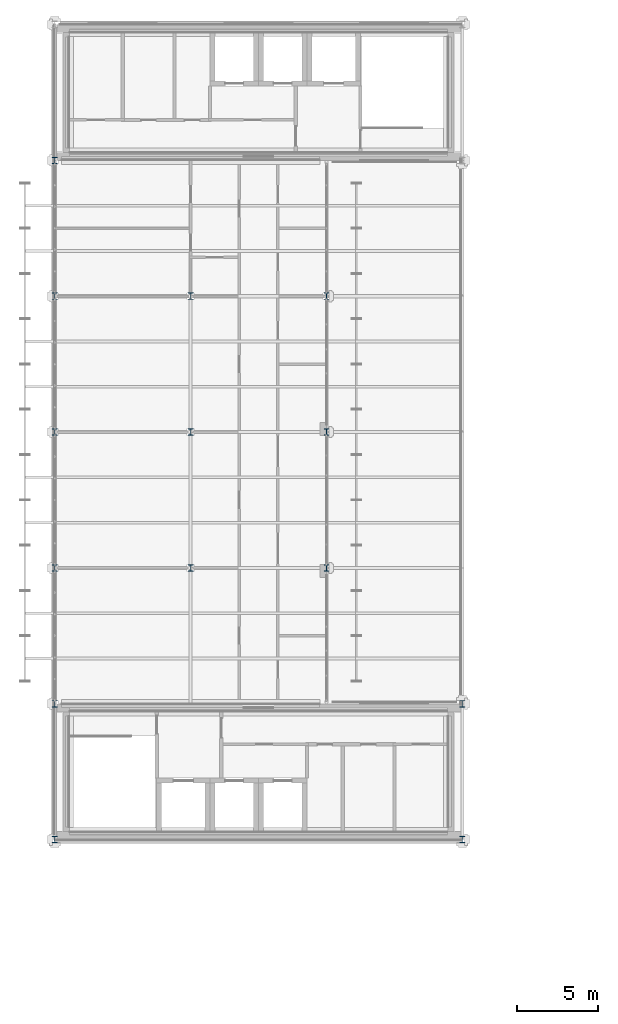
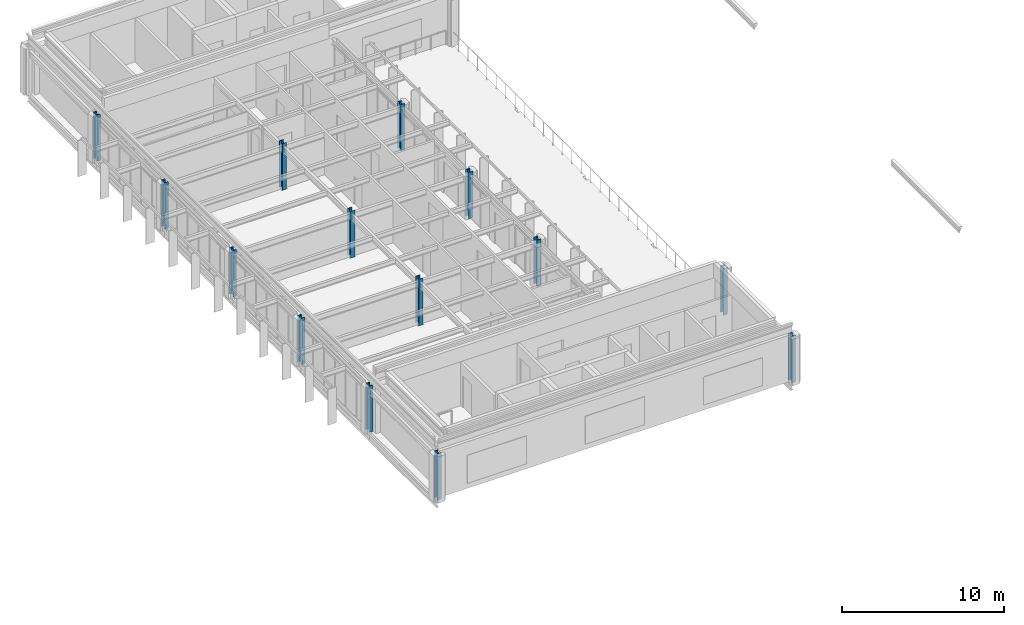
# One storey, part 1 of 31: 14 columns.
"""IFC4 building model written with IfcOpenShell, lengths in metres."""

import ifcopenshell
import ifcopenshell.guid

model = None  # the IFC model being written
_history = None  # IfcOwnerHistory: only IFC2X3 demands one
_inside = {}  # id of a spatial element -> (the spatial element, [elements in it])
_under = {}  # id of a project, library or spatial element -> (it, [spatial elements below it])
_declared = {}  # id of a project -> (the project, [libraries it declares])
_typed = {}  # id of a type object -> (the type object, [elements of that type])
_made_of = {}  # id of a material, layer set ... -> (it, [elements and type objects made of it])


def new_model(schema):
    """Start an empty IFC model of exactly this schema.

    Asked for "IFC4X3", IfcOpenShell would pick the latest addendum, in which some entities
    have other attributes; the version numbers below select the first issue.
    IFC2X3 requires an IfcOwnerHistory on every rooted entity: one is made here for all.
    """
    global model, _history
    if schema == "IFC4X3":
        model = ifcopenshell.file(schema_version=(4, 3, 0, 0))
    else:
        model = ifcopenshell.file(schema=schema)
    _inside.clear()
    _under.clear()
    _declared.clear()
    _typed.clear()
    _made_of.clear()
    _history = None
    if model.schema == "IFC2X3":
        org = make("IfcOrganization", Name="unknown")
        user = make(
            "IfcPersonAndOrganization",
            ThePerson=make("IfcPerson", FamilyName="unknown"),
            TheOrganization=org,
        )
        app = make(
            "IfcApplication",
            ApplicationDeveloper=org,
            Version="unknown",
            ApplicationFullName="unknown",
            ApplicationIdentifier="unknown",
        )
        _history = make(
            "IfcOwnerHistory",
            OwningUser=user,
            OwningApplication=app,
            ChangeAction="ADDED",
            CreationDate=0,
        )
    return model


def make(cls, **values):
    """One entity of the class cls with the attributes given. An attribute that is None is left unset."""
    return model.create_entity(
        cls, **{name: value for name, value in values.items() if value is not None}
    )


def rooted(cls, **values):
    """An entity with a GlobalId (a new one), such as an element, a storey or a relation."""
    return make(cls, GlobalId=ifcopenshell.guid.new(), OwnerHistory=_history, **values)


def si_unit(unit_type, name, prefix=None):
    """IfcSIUnit, for example si_unit("LENGTHUNIT", "METRE", prefix="MILLI")."""
    return make("IfcSIUnit", UnitType=unit_type, Prefix=prefix, Name=name)


def assignment(units):
    """IfcUnitAssignment: the units of a project."""
    return None if units is None else make("IfcUnitAssignment", Units=units)


def point(xyz):
    """IfcCartesianPoint."""
    return None if xyz is None else make("IfcCartesianPoint", Coordinates=xyz)


def direction(xyz):
    """IfcDirection."""
    return None if xyz is None else make("IfcDirection", DirectionRatios=xyz)


def frame(location, z_axis=None, x_axis=None):
    """IfcAxis2Placement3D, a coordinate frame: its origin and axes. An axis left out is left unset."""
    return make(
        "IfcAxis2Placement3D",
        Location=point(location),
        Axis=direction(z_axis),
        RefDirection=direction(x_axis),
    )


def frame_2d(location, x_axis=None):
    """IfcAxis2Placement2D, a coordinate frame in the plane: its origin and x axis."""
    return make(
        "IfcAxis2Placement2D", Location=point(location), RefDirection=direction(x_axis)
    )


def origin():
    """The frame at (0, 0, 0) with its axes left unset."""
    return frame((0.0, 0.0, 0.0))


def origin_2d():
    """The frame at (0, 0) in the plane with its x axis left unset."""
    return frame_2d((0.0, 0.0))


def place(relative_to, where):
    """IfcLocalPlacement: puts the frame where relative to a parent placement (None: the world)."""
    return make(
        "IfcLocalPlacement", PlacementRelTo=relative_to, RelativePlacement=where
    )


def context(
    kind, dimensions, precision=None, world=None, true_north=None, identifier=None
):
    """IfcGeometricRepresentationContext, for example the 3D "Model" context."""
    return make(
        "IfcGeometricRepresentationContext",
        ContextIdentifier=identifier,
        ContextType=kind,
        CoordinateSpaceDimension=dimensions,
        Precision=precision,
        WorldCoordinateSystem=world,
        TrueNorth=true_north,
    )


def subcontext(parent, identifier, kind, view, scale=None):
    """IfcGeometricRepresentationSubContext, for example "Body" below "Model"."""
    return make(
        "IfcGeometricRepresentationSubContext",
        ContextIdentifier=identifier,
        ContextType=kind,
        ParentContext=parent,
        TargetScale=scale,
        TargetView=view,
    )


def project(units=None, contexts=None):
    """IfcProject with its units and contexts."""
    return rooted(
        "IfcProject",
        Name="project",
        RepresentationContexts=contexts,
        UnitsInContext=assignment(units),
    )


def spatial(cls, under=None, at=None, **own):
    """A site, building, storey or space (cls), placed at a placement, below another one or the project."""
    s = rooted(cls, ObjectPlacement=at, **own)
    if under is not None:
        _under.setdefault(under.id(), (under, []))[1].append(s)
    return s


def profile(cls, at=None, kind="AREA", **sizes):
    """A parametric profile (cls). Its sizes go by their IFC names, for example OverallWidth=200.0."""
    return make(cls, ProfileType=kind, Position=at, **sizes)


def i_section(**sizes):
    """IfcIShapeProfileDef."""
    return profile("IfcIShapeProfileDef", **sizes)


def extrude(swept, where, along, depth):
    """IfcExtrudedAreaSolid: the profile swept, set in the frame where, extruded along a direction by depth."""
    return make(
        "IfcExtrudedAreaSolid",
        SweptArea=swept,
        Position=where,
        ExtrudedDirection=direction(along),
        Depth=depth,
    )


def shape(context_of_items, identifier, shape_type, items):
    """IfcShapeRepresentation: the items that make up one representation, for example the "Body"."""
    return make(
        "IfcShapeRepresentation",
        ContextOfItems=context_of_items,
        RepresentationIdentifier=identifier,
        RepresentationType=shape_type,
        Items=items,
    )


def material(Name=None, Category=None):
    """IfcMaterial."""
    return make("IfcMaterial", Name=Name, Category=Category)


def material_profile(
    of_material, cross_section, Name=None, Category=None, Priority=None
):
    """IfcMaterialProfile: a cross section and its material."""
    return make(
        "IfcMaterialProfile",
        Name=Name,
        Material=of_material,
        Profile=cross_section,
        Priority=Priority,
        Category=Category,
    )


def profile_set(profiles, Name=None, composite=None):
    """IfcMaterialProfileSet."""
    return make(
        "IfcMaterialProfileSet",
        Name=Name,
        MaterialProfiles=profiles,
        CompositeProfile=composite,
    )


def made_of(thing, what):
    """Note that an element or type object is made of a material, layer set ...; save() writes the relation."""
    if what is not None:
        _made_of.setdefault(what.id(), (what, []))[1].append(thing)
    return thing


def type_object(cls, material=None, **own):
    """A type object (cls), such as IfcWallType, which elements share."""
    return made_of(rooted(cls, **own), material)


def element(
    cls,
    number,
    at=None,
    inside=None,
    cuts=None,
    type_object=None,
    material=None,
    context=None,
    identifier="Body",
    shape_type=None,
    held_by="IfcProductDefinitionShape",
    body=None,
    shapes=None,
    **own,
):
    """One element of the class cls, such as IfcWall. Its Tag is "e" and its number.

    at: its placement. inside: the storey or other place that contains it. cuts: it is an
    opening in that element (IfcRelVoidsElement). A single representation is given by context,
    identifier, shape_type and body (its items); several are given by shapes. held_by: the class
    of the entity that holds the representations. save() writes the other relations.
    """
    e = rooted(cls, Tag="e%d" % number, ObjectPlacement=at, **own)
    if body is not None:
        shapes = [shape(context, identifier, shape_type, body)]
    if shapes is not None:
        e.Representation = make(held_by, Representations=shapes)
    if inside is not None:
        _inside.setdefault(inside.id(), (inside, []))[1].append(e)
    if cuts is not None:
        rooted(
            "IfcRelVoidsElement", RelatingBuildingElement=cuts, RelatedOpeningElement=e
        )
    if type_object is not None:
        _typed.setdefault(type_object.id(), (type_object, []))[1].append(e)
    return made_of(e, material)


def aggregate(whole, parts):
    """IfcRelAggregates: a whole, such as a stair, and the parts it consists of."""
    return rooted("IfcRelAggregates", RelatingObject=whole, RelatedObjects=parts)


def save(model, path):
    """Write the relations noted so far, then the file.

    IfcRelAggregates (storeys below a building ...), IfcRelContainedInSpatialStructure (elements
    in a storey), IfcRelDefinesByType, IfcRelAssociatesMaterial and IfcRelDeclares: one each for
    every whole, place, type object, material and project.
    """
    for whole, parts in _under.values():
        aggregate(whole, parts)
    for where, things in _inside.values():
        rooted(
            "IfcRelContainedInSpatialStructure",
            RelatedElements=things,
            RelatingStructure=where,
        )
    for kind, things in _typed.values():
        rooted("IfcRelDefinesByType", RelatedObjects=things, RelatingType=kind)
    for what, things in _made_of.values():
        rooted("IfcRelAssociatesMaterial", RelatedObjects=things, RelatingMaterial=what)
    for by, libraries in _declared.values():
        rooted("IfcRelDeclares", RelatingContext=by, RelatedDefinitions=libraries)
    model.write(path)


model = new_model("IFC4")

# Units and contexts
model_context = context("Model", 3, precision=1e-05, world=origin(), true_north=direction((0.0, 1.0)))
body_context = subcontext(model_context, "Body", "Model", "MODEL_VIEW")
ifc_project = project(units=[si_unit("LENGTHUNIT", "METRE"), si_unit("AREAUNIT", "SQUARE_METRE"), si_unit("VOLUMEUNIT", "CUBIC_METRE"), si_unit("PLANEANGLEUNIT", "RADIAN"), si_unit("MASSUNIT", "GRAM", prefix="KILO")], contexts=[model_context])

# Site, building, storey
site_placement = place(None, origin())
site = spatial("IfcSite", under=ifc_project, at=site_placement, CompositionType="ELEMENT")
building_placement = place(site_placement, origin())
building = spatial("IfcBuilding", under=site, at=building_placement, Name="Catenary Quay Ferry Terminal", CompositionType="ELEMENT")
storey_placement = place(building_placement, frame((0.0, 0.0, 20.60009765625)))
storey = spatial("IfcBuildingStorey", under=building, at=storey_placement, Name="L04", CompositionType="ELEMENT", Elevation=20.60009765625)

# Columns
ifc_material = material(Name="Steel S355", Category="steel")
ifc_material_profile = material_profile(ifc_material, i_section(OverallWidth=0.300048828125, OverallDepth=0.39990234375, WebThickness=0.013427734375, FlangeThickness=0.02392578125, at=origin_2d()), Name="HEB 400")
ifc_profile_set = profile_set([ifc_material_profile], Name="Steel S355")
column_type = type_object("IfcColumnType", Name="C2 HEB 400", PredefinedType="COLUMN", material=ifc_profile_set)
for number, where, z_axis, x_axis, name in (
    (1, (25.199951171875, 159.60009765625, 0.0), (0.0, 0.0, 1.0), (1.0, 0.0, 0.0), "Column C-D20 L04"),
    (2, (25.199951171875, 168.0, 0.0), (0.0, 0.0, 1.0), (1.0, 0.0, 0.0), "Column C-D21 L04"),
    (3, (25.199951171875, 201.60009765625, 0.0), (0.0, 0.0, 1.0), (1.0, 0.0, 0.0), "Column C-D25 L04"),
    (4, (50.39990234375, 159.60009765625, 0.0), (0.0, 0.0, 1.0), (1.0, 0.0, 0.0), "Column C-G20 L04"),
    (5, (50.39990234375, 168.0, 0.0), (0.0, 0.0, 1.0), (1.0, 0.0, 0.0), "Column C-G21 L04"),
    (6, (25.199951171875, 176.39990234375, 0.0), (0.0, 0.0, 1.0), (1.0, 0.0, 0.0), "Column C-D22 L04"),
    (7, (25.199951171875, 184.800048828125, 0.0), (0.0, 0.0, 1.0), (1.0, 0.0, 0.0), "Column C-D23 L04"),
    (8, (25.199951171875, 193.199951171875, 0.0), (0.0, 0.0, 1.0), (1.0, 0.0, 0.0), "Column C-D24 L04"),
    (9, (33.60009765625, 176.39990234375, 0.0), (0.0, 0.0, 1.0), (1.0, 0.0, 0.0), "Column C-E22 L04"),
    (10, (33.60009765625, 184.800048828125, 0.0), (0.0, 0.0, 1.0), (1.0, 0.0, 0.0), "Column C-E23 L04"),
    (11, (33.60009765625, 193.199951171875, 0.0), (0.0, 0.0, 1.0), (1.0, 0.0, 0.0), "Column C-E24 L04"),
    (12, (42.0, 176.39990234375, 0.0), (0.0, 0.0, 1.0), (1.0, 0.0, 0.0), "Column C-F22 L04"),
    (13, (42.0, 184.800048828125, 0.0), (0.0, 0.0, 1.0), (1.0, 0.0, 0.0), "Column C-F23 L04"),
    (14, (42.0, 193.199951171875, 0.0), (0.0, 0.0, 1.0), (1.0, 0.0, 0.0), "Column C-F24 L04"),
):
    element("IfcColumn", number, at=place(storey_placement, frame(where, z_axis=z_axis, x_axis=x_axis)), inside=storey, type_object=column_type, Name=name, PredefinedType="COLUMN", context=body_context, shape_type="SweptSolid", body=[
        extrude(i_section(OverallWidth=0.300048828125, OverallDepth=0.39990234375, WebThickness=0.013427734375, FlangeThickness=0.02392578125, at=origin_2d()), origin(), (0.0, 0.0, 1.0), 3.5),
    ])

save(model, "model.ifc")
